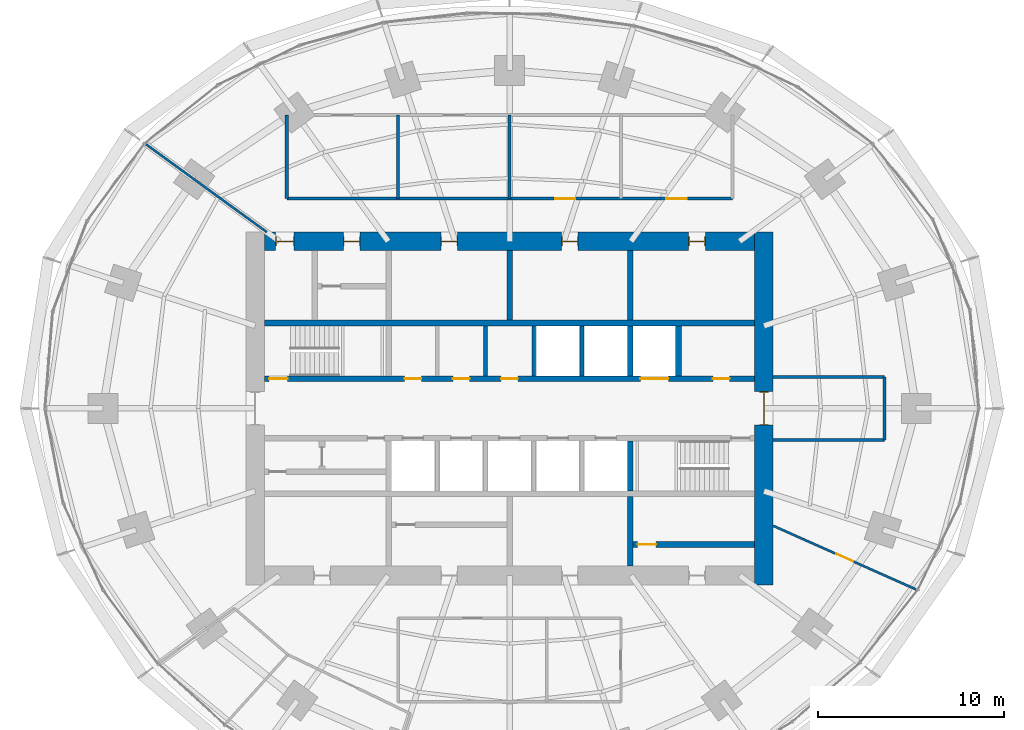
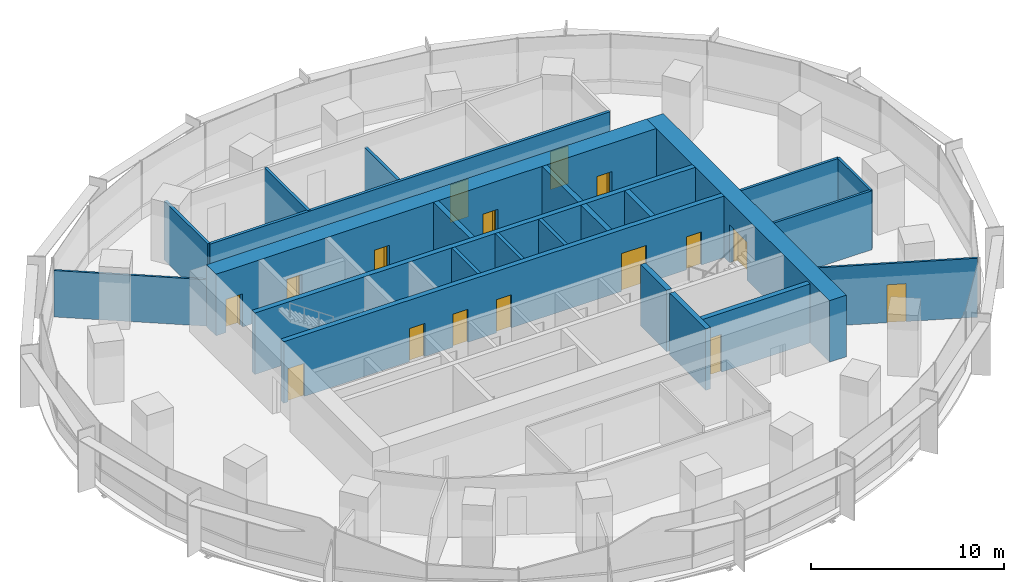
# One storey, part 11 of 14: 23 walls, 16 doors, 16 openings.
"""IFC4 building model written with IfcOpenShell, lengths in metres."""

from ifc_helpers import new_model, si_unit, direction, frame, frame_2d, origin, place, context, subcontext, project, spatial, rectangle, extrude, material, layer, layer_set, type_object, element, fill, save


model = new_model("IFC4")

# Units and contexts
model_context = context("Model", 3, precision=1e-05, world=origin(), true_north=direction((0.0, 1.0)))
body_context = subcontext(model_context, "Body", "Model", "MODEL_VIEW")
ifc_project = project(units=[si_unit("LENGTHUNIT", "METRE"), si_unit("AREAUNIT", "SQUARE_METRE"), si_unit("VOLUMEUNIT", "CUBIC_METRE"), si_unit("PLANEANGLEUNIT", "RADIAN"), si_unit("MASSUNIT", "GRAM", prefix="KILO")], contexts=[model_context])

# Site, building, storey
site_placement = place(None, origin())
site = spatial("IfcSite", under=ifc_project, at=site_placement, CompositionType="ELEMENT")
building_placement = place(site_placement, origin())
building = spatial("IfcBuilding", under=site, at=building_placement, Name="Marramba Exchange Tower", CompositionType="ELEMENT")
storey_placement = place(building_placement, frame((0.0, 0.0, 154.800048828125)))
storey = spatial("IfcBuildingStorey", under=building, at=storey_placement, Name="L37", CompositionType="ELEMENT", Elevation=154.800048828125)

# Wall
ifc_material_1 = material(Name="Plasterboard on staggered double steel studs, acoustic insulation", Category="steel")
ifc_layer_1 = layer(ifc_material_1, 0.169921875)
ifc_layer_set_1 = layer_set([ifc_layer_1], Name="Acoustic partition 170")
wall_type_1 = type_object("IfcWallType", Name="Acoustic partition 170", PredefinedType="PARTITIONING", material=ifc_layer_set_1)
wall_1_placement = place(storey_placement, frame((0.0, 15.800048828125, 0.0), z_axis=(0.0, 0.0, 1.0), x_axis=(0.0, -1.0, 0.0)))
element("IfcWall", 1, at=wall_1_placement, inside=storey, type_object=wall_type_1, Name="Acoustic partition L37 18", PredefinedType="PARTITIONING", context=body_context, shape_type="SweptSolid", body=[
    extrude(rectangle(XDim=4.5, YDim=0.169921875, at=frame_2d((2.25, 0.0))), origin(), (0.0, 0.0, 1.0), 2.93994140625),
])

# Wall, openings, doors
wall_2_placement = place(storey_placement, frame((12.0, 11.300048828125, 0.0), z_axis=(0.0, 0.0, 1.0), x_axis=(-1.0, 0.0, 0.0)))
wall_2 = element("IfcWall", 2, at=wall_2_placement, inside=storey, type_object=wall_type_1, Name="Acoustic partition L37 19", PredefinedType="PARTITIONING", context=body_context, shape_type="SweptSolid", body=[
    extrude(rectangle(XDim=24.0, YDim=0.169921875, at=frame_2d((12.0, 0.0))), origin(), (0.0, 0.0, 1.0), 3.739990234375),
])
opening_1_placement = place(wall_2_placement, frame((8.449951171875, 0.0, 0.0)))
opening_1 = element("IfcOpeningElement", 3, at=opening_1_placement, cuts=wall_2, Name="Opening D15", PredefinedType="OPENING", context=body_context, shape_type="SweptSolid", body=[
    extrude(rectangle(XDim=1.10009765625, YDim=2.39990234375, at=frame_2d((0.550048828125, 1.199951171875))), frame((0.0, 0.094970703125, 0.0), z_axis=(0.0, -1.0, 0.0), x_axis=(1.0, 0.0, 0.0)), (0.0, 0.0, 1.0), 0.18994140625),
])
opening_2_placement = place(wall_2_placement, frame((2.449951171875, 0.0, 0.0)))
opening_2 = element("IfcOpeningElement", 4, at=opening_2_placement, cuts=wall_2, Name="Opening D15", PredefinedType="OPENING", context=body_context, shape_type="SweptSolid", body=[
    extrude(rectangle(XDim=1.10009765625, YDim=2.39990234375, at=frame_2d((0.550048828125, 1.199951171875))), frame((0.0, 0.094970703125, 0.0), z_axis=(0.0, -1.0, 0.0), x_axis=(1.0, 0.0, 0.0)), (0.0, 0.0, 1.0), 0.18994140625),
])
ifc_material_2 = material(Name="Timber door", Category="wood")
door_type_1 = type_object("IfcDoorType", Name="Glazed meeting room door 1100x2400", OperationType="SINGLE_SWING_LEFT", PredefinedType="DOOR", material=ifc_material_2)
door_1_placement = place(opening_1_placement, frame((1.10009765625, 0.0, 0.0), z_axis=(0.0, 0.0, 1.0), x_axis=(-1.0, 0.0, 0.0)))
door_1 = element("IfcDoor", 5, at=door_1_placement, inside=storey, type_object=door_type_1, Name="D15 Meeting Room 3 L37", OperationType="SINGLE_SWING_RIGHT", OverallHeight=2.39990234375, OverallWidth=1.10009765625, PredefinedType="DOOR", context=body_context, shape_type="SweptSolid", body=[
    extrude(rectangle(XDim=1.10009765625, YDim=2.39990234375, at=frame_2d((0.550048828125, 1.199951171875))), frame((0.0, 0.025146484375, 0.0), z_axis=(0.0, -1.0, 0.0), x_axis=(1.0, 0.0, 0.0)), (0.0, 0.0, 1.0), 0.050048828125),
])
fill(opening_1, door_1)
door_2_placement = place(opening_2_placement, frame((1.10009765625, 0.0, 0.0), z_axis=(0.0, 0.0, 1.0), x_axis=(-1.0, 0.0, 0.0)))
door_2 = element("IfcDoor", 6, at=door_2_placement, inside=storey, type_object=door_type_1, Name="D15 Meeting Room 4 L37", OperationType="SINGLE_SWING_RIGHT", OverallHeight=2.39990234375, OverallWidth=1.10009765625, PredefinedType="DOOR", context=body_context, shape_type="SweptSolid", body=[
    extrude(rectangle(XDim=1.10009765625, YDim=2.39990234375, at=frame_2d((0.550048828125, 1.199951171875))), frame((0.0, 0.025146484375, 0.0), z_axis=(0.0, -1.0, 0.0), x_axis=(1.0, 0.0, 0.0)), (0.0, 0.0, 1.0), 0.050048828125),
])
fill(opening_2, door_2)

# Walls
for number, where, z_axis, x_axis, name in (
    (7, (-6.0, 15.800048828125, 0.0), (0.0, 0.0, 1.0), (0.0, -1.0, 0.0), "Acoustic partition L37 20"),
    (8, (-12.0, 11.300048828125, 0.0), (0.0, 0.0, 1.0), (0.0, 1.0, 0.0), "Acoustic partition L37 21"),
):
    element("IfcWall", number, at=place(storey_placement, frame(where, z_axis=z_axis, x_axis=x_axis)), inside=storey, type_object=wall_type_1, Name=name, PredefinedType="PARTITIONING", context=body_context, shape_type="SweptSolid", body=[
        extrude(rectangle(XDim=4.5, YDim=0.169921875, at=frame_2d((2.25, 0.0))), origin(), (0.0, 0.0, 1.0), 3.739990234375),
    ])
ifc_material_3 = material(Name="Concrete N50", Category="concrete")
ifc_layer_2 = layer(ifc_material_3, 0.199951171875)
ifc_layer_set_2 = layer_set([ifc_layer_2], Name="Core shaft wall 200")
wall_type_2 = type_object("IfcWallType", Name="Core shaft wall 200", PredefinedType="SHEAR", material=ifc_layer_set_2)
for number, where, z_axis, x_axis, name in (
    (9, (-1.300048828125, 1.75, 0.0), (0.0, 0.0, 1.0), (0.0, 1.0, 0.0), "Core wall SHN2 L37"),
    (10, (1.300048828125, 1.75, 0.0), (0.0, 0.0, 1.0), (0.0, 1.0, 0.0), "Core wall SHN3 L37"),
    (11, (3.89990234375, 1.75, 0.0), (0.0, 0.0, 1.0), (0.0, 1.0, 0.0), "Core wall SHN4 L37"),
):
    element("IfcWall", number, at=place(storey_placement, frame(where, z_axis=z_axis, x_axis=x_axis)), inside=storey, type_object=wall_type_2, Name=name, PredefinedType="SHEAR", context=body_context, shape_type="SweptSolid", body=[
        extrude(rectangle(XDim=2.699951171875, YDim=0.199951171875, at=frame_2d((1.35009765625, 0.0))), origin(), (0.0, 0.0, 1.0), 3.89990234375),
    ])

# Wall, openings, doors
ifc_layer_3 = layer(ifc_material_3, 1.0)
ifc_layer_set_3 = layer_set([ifc_layer_3], Name="Core wall 1000")
wall_type_3 = type_object("IfcWallType", Name="Core wall 1000", PredefinedType="SHEAR", material=ifc_layer_set_3)
wall_3_placement = place(storey_placement, frame((13.199951171875, 9.0, 0.0), z_axis=(0.0, 0.0, 1.0), x_axis=(-1.0, 0.0, 0.0)))
wall_3 = element("IfcWall", 12, at=wall_3_placement, inside=storey, type_object=wall_type_3, Name="Core wall N L37", PredefinedType="SHEAR", context=body_context, shape_type="SweptSolid", body=[
    extrude(rectangle(XDim=26.39990234375, YDim=1.0, at=frame_2d((13.199951171875, 0.0))), origin(), (0.0, 0.0, 1.0), 3.89990234375),
])
opening_3_placement = place(wall_3_placement, frame((2.64990234375, 0.0, 0.0)))
opening_3 = element("IfcOpeningElement", 13, at=opening_3_placement, cuts=wall_3, Name="Opening D5", PredefinedType="OPENING", context=body_context, shape_type="SweptSolid", body=[
    extrude(rectangle(XDim=0.89990234375, YDim=2.10009765625, at=frame_2d((0.449951171875, 1.050048828125))), frame((0.0, 0.510009765625, 0.0), z_axis=(0.0, -1.0, 0.0), x_axis=(1.0, 0.0, 0.0)), (0.0, 0.0, 1.0), 1.02001953125),
])
opening_4_placement = place(wall_3_placement, frame((9.5, 0.0, 0.0)))
opening_4 = element("IfcOpeningElement", 14, at=opening_4_placement, cuts=wall_3, Name="Opening D3", PredefinedType="OPENING", context=body_context, shape_type="SweptSolid", body=[
    extrude(rectangle(XDim=0.89990234375, YDim=2.10009765625, at=frame_2d((0.449951171875, 1.050048828125))), frame((0.0, 0.510009765625, 0.0), z_axis=(0.0, -1.0, 0.0), x_axis=(1.0, 0.0, 0.0)), (0.0, 0.0, 1.0), 1.02001953125),
])
opening_5_placement = place(wall_3_placement, frame((16.0, 0.0, 0.0)))
opening_5 = element("IfcOpeningElement", 15, at=opening_5_placement, cuts=wall_3, Name="Opening D3", PredefinedType="OPENING", context=body_context, shape_type="SweptSolid", body=[
    extrude(rectangle(XDim=0.89990234375, YDim=2.10009765625, at=frame_2d((0.449951171875, 1.050048828125))), frame((0.0, 0.510009765625, 0.0), z_axis=(0.0, -1.0, 0.0), x_axis=(1.0, 0.0, 0.0)), (0.0, 0.0, 1.0), 1.02001953125),
])
opening_6_placement = place(wall_3_placement, frame((21.25, 0.0, 0.0)))
opening_6 = element("IfcOpeningElement", 16, at=opening_6_placement, cuts=wall_3, Name="Opening D5", PredefinedType="OPENING", context=body_context, shape_type="SweptSolid", body=[
    extrude(rectangle(XDim=0.89990234375, YDim=2.10009765625, at=frame_2d((0.449951171875, 1.050048828125))), frame((0.0, 0.510009765625, 0.0), z_axis=(0.0, -1.0, 0.0), x_axis=(1.0, 0.0, 0.0)), (0.0, 0.0, 1.0), 1.02001953125),
])
opening_7_placement = place(wall_3_placement, frame((24.800048828125, 0.0, 0.0)))
opening_7 = element("IfcOpeningElement", 17, at=opening_7_placement, cuts=wall_3, Name="Opening D4", PredefinedType="OPENING", context=body_context, shape_type="SweptSolid", body=[
    extrude(rectangle(XDim=1.0, YDim=2.10009765625, at=frame_2d((0.5, 1.050048828125))), frame((0.0, 0.510009765625, 0.0), z_axis=(0.0, -1.0, 0.0), x_axis=(1.0, 0.0, 0.0)), (0.0, 0.0, 1.0), 1.02001953125),
])
ifc_material_4 = material(Name="Steel-framed door", Category="steel")
door_type_2 = type_object("IfcDoorType", Name="Accessible toilet door 1000x2100", OperationType="SINGLE_SWING_LEFT", PredefinedType="DOOR", material=ifc_material_4)
door_3_placement = place(opening_7_placement, origin())
door_3 = element("IfcDoor", 18, at=door_3_placement, inside=storey, type_object=door_type_2, Name="D4 awc L37", OperationType="SINGLE_SWING_RIGHT", OverallHeight=2.10009765625, OverallWidth=1.0, PredefinedType="DOOR", context=body_context, shape_type="SweptSolid", body=[
    extrude(rectangle(XDim=0.919921875, YDim=2.06005859375, at=frame_2d((0.5, 1.030029296875))), frame((0.0, 0.02490234375, 0.0), z_axis=(0.0, -1.0, 0.0), x_axis=(1.0, 0.0, 0.0)), (0.0, 0.0, 1.0), 0.050048828125),
    extrude(rectangle(XDim=0.04, YDim=2.10009765625, at=frame_2d((0.02001953125, 1.050048828125))), frame((0.0, 0.25, 0.0), z_axis=(0.0, -1.0, 0.0), x_axis=(1.0, 0.0, 0.0)), (0.0, 0.0, 1.0), 0.5),
    extrude(rectangle(XDim=0.04, YDim=2.10009765625, at=frame_2d((0.97998046875, 1.050048828125))), frame((0.0, 0.25, 0.0), z_axis=(0.0, -1.0, 0.0), x_axis=(1.0, 0.0, 0.0)), (0.0, 0.0, 1.0), 0.5),
    extrude(rectangle(XDim=0.919921875, YDim=0.04, at=frame_2d((0.5, 2.080078125))), frame((0.0, 0.25, 0.0), z_axis=(0.0, -1.0, 0.0), x_axis=(1.0, 0.0, 0.0)), (0.0, 0.0, 1.0), 0.5),
])
fill(opening_7, door_3)
door_type_3 = type_object("IfcDoorType", Name="Service door 900x2100", OperationType="SINGLE_SWING_LEFT", PredefinedType="DOOR", material=ifc_material_4)
door_4_placement = place(opening_3_placement, origin())
door_4 = element("IfcDoor", 19, at=door_4_placement, inside=storey, type_object=door_type_3, Name="D5 comms L37", OperationType="SINGLE_SWING_LEFT", OverallHeight=2.10009765625, OverallWidth=0.89990234375, PredefinedType="DOOR", context=body_context, shape_type="SweptSolid", body=[
    extrude(rectangle(XDim=0.81982421875, YDim=2.06005859375, at=frame_2d((0.449951171875, 1.030029296875))), frame((0.0, 0.02490234375, 0.0), z_axis=(0.0, -1.0, 0.0), x_axis=(1.0, 0.0, 0.0)), (0.0, 0.0, 1.0), 0.050048828125),
    extrude(rectangle(XDim=0.04, YDim=2.10009765625, at=frame_2d((0.02001953125, 1.050048828125))), frame((0.0, 0.25, 0.0), z_axis=(0.0, -1.0, 0.0), x_axis=(1.0, 0.0, 0.0)), (0.0, 0.0, 1.0), 0.5),
    extrude(rectangle(XDim=0.04, YDim=2.10009765625, at=frame_2d((0.8798828125, 1.050048828125))), frame((0.0, 0.25, 0.0), z_axis=(0.0, -1.0, 0.0), x_axis=(1.0, 0.0, 0.0)), (0.0, 0.0, 1.0), 0.5),
    extrude(rectangle(XDim=0.81982421875, YDim=0.04, at=frame_2d((0.449951171875, 2.080078125))), frame((0.0, 0.25, 0.0), z_axis=(0.0, -1.0, 0.0), x_axis=(1.0, 0.0, 0.0)), (0.0, 0.0, 1.0), 0.5),
])
fill(opening_3, door_4)
door_5_placement = place(opening_6_placement, origin())
door_5 = element("IfcDoor", 20, at=door_5_placement, inside=storey, type_object=door_type_3, Name="D5 cleaner L37", OperationType="SINGLE_SWING_RIGHT", OverallHeight=2.10009765625, OverallWidth=0.89990234375, PredefinedType="DOOR", context=body_context, shape_type="SweptSolid", body=[
    extrude(rectangle(XDim=0.81982421875, YDim=2.06005859375, at=frame_2d((0.449951171875, 1.030029296875))), frame((0.0, 0.02490234375, 0.0), z_axis=(0.0, -1.0, 0.0), x_axis=(1.0, 0.0, 0.0)), (0.0, 0.0, 1.0), 0.050048828125),
    extrude(rectangle(XDim=0.04, YDim=2.10009765625, at=frame_2d((0.02001953125, 1.050048828125))), frame((0.0, 0.25, 0.0), z_axis=(0.0, -1.0, 0.0), x_axis=(1.0, 0.0, 0.0)), (0.0, 0.0, 1.0), 0.5),
    extrude(rectangle(XDim=0.04, YDim=2.10009765625, at=frame_2d((0.8798828125, 1.050048828125))), frame((0.0, 0.25, 0.0), z_axis=(0.0, -1.0, 0.0), x_axis=(1.0, 0.0, 0.0)), (0.0, 0.0, 1.0), 0.5),
    extrude(rectangle(XDim=0.81982421875, YDim=0.04, at=frame_2d((0.449951171875, 2.080078125))), frame((0.0, 0.25, 0.0), z_axis=(0.0, -1.0, 0.0), x_axis=(1.0, 0.0, 0.0)), (0.0, 0.0, 1.0), 0.5),
])
fill(opening_6, door_5)
door_type_4 = type_object("IfcDoorType", Name="Toilet door 900x2100", OperationType="SINGLE_SWING_LEFT", PredefinedType="DOOR", material=ifc_material_4)
door_6_placement = place(opening_4_placement, origin())
door_6 = element("IfcDoor", 21, at=door_6_placement, inside=storey, type_object=door_type_4, Name="D3 wc-f L37", OperationType="SINGLE_SWING_RIGHT", OverallHeight=2.10009765625, OverallWidth=0.89990234375, PredefinedType="DOOR", context=body_context, shape_type="SweptSolid", body=[
    extrude(rectangle(XDim=0.81982421875, YDim=2.06005859375, at=frame_2d((0.449951171875, 1.030029296875))), frame((0.0, 0.02490234375, 0.0), z_axis=(0.0, -1.0, 0.0), x_axis=(1.0, 0.0, 0.0)), (0.0, 0.0, 1.0), 0.050048828125),
    extrude(rectangle(XDim=0.04, YDim=2.10009765625, at=frame_2d((0.02001953125, 1.050048828125))), frame((0.0, 0.25, 0.0), z_axis=(0.0, -1.0, 0.0), x_axis=(1.0, 0.0, 0.0)), (0.0, 0.0, 1.0), 0.5),
    extrude(rectangle(XDim=0.04, YDim=2.10009765625, at=frame_2d((0.8798828125, 1.050048828125))), frame((0.0, 0.25, 0.0), z_axis=(0.0, -1.0, 0.0), x_axis=(1.0, 0.0, 0.0)), (0.0, 0.0, 1.0), 0.5),
    extrude(rectangle(XDim=0.81982421875, YDim=0.04, at=frame_2d((0.449951171875, 2.080078125))), frame((0.0, 0.25, 0.0), z_axis=(0.0, -1.0, 0.0), x_axis=(1.0, 0.0, 0.0)), (0.0, 0.0, 1.0), 0.5),
])
fill(opening_4, door_6)
door_7_placement = place(opening_5_placement, origin())
door_7 = element("IfcDoor", 22, at=door_7_placement, inside=storey, type_object=door_type_4, Name="D3 wc-m L37", OperationType="SINGLE_SWING_RIGHT", OverallHeight=2.10009765625, OverallWidth=0.89990234375, PredefinedType="DOOR", context=body_context, shape_type="SweptSolid", body=[
    extrude(rectangle(XDim=0.81982421875, YDim=2.06005859375, at=frame_2d((0.449951171875, 1.030029296875))), frame((0.0, 0.02490234375, 0.0), z_axis=(0.0, -1.0, 0.0), x_axis=(1.0, 0.0, 0.0)), (0.0, 0.0, 1.0), 0.050048828125),
    extrude(rectangle(XDim=0.04, YDim=2.10009765625, at=frame_2d((0.02001953125, 1.050048828125))), frame((0.0, 0.25, 0.0), z_axis=(0.0, -1.0, 0.0), x_axis=(1.0, 0.0, 0.0)), (0.0, 0.0, 1.0), 0.5),
    extrude(rectangle(XDim=0.04, YDim=2.10009765625, at=frame_2d((0.8798828125, 1.050048828125))), frame((0.0, 0.25, 0.0), z_axis=(0.0, -1.0, 0.0), x_axis=(1.0, 0.0, 0.0)), (0.0, 0.0, 1.0), 0.5),
    extrude(rectangle(XDim=0.81982421875, YDim=0.04, at=frame_2d((0.449951171875, 2.080078125))), frame((0.0, 0.25, 0.0), z_axis=(0.0, -1.0, 0.0), x_axis=(1.0, 0.0, 0.0)), (0.0, 0.0, 1.0), 0.5),
])
fill(opening_5, door_7)

# Wall, opening, door
wall_4_placement = place(storey_placement, frame((13.699951171875, -9.5, 0.0), z_axis=(0.0, 0.0, 1.0), x_axis=(0.0, 1.0, 0.0)))
wall_4 = element("IfcWall", 23, at=wall_4_placement, inside=storey, type_object=wall_type_3, Name="Core wall E L37", PredefinedType="SHEAR", context=body_context, shape_type="SweptSolid", body=[
    extrude(rectangle(XDim=19.0, YDim=1.0, at=frame_2d((9.5, 0.0))), origin(), (0.0, 0.0, 1.0), 3.89990234375),
])
opening_8_placement = place(wall_4_placement, frame((8.60009765625, 0.0, 0.0)))
opening_8 = element("IfcOpeningElement", 24, at=opening_8_placement, cuts=wall_4, Name="Opening D1", PredefinedType="OPENING", context=body_context, shape_type="SweptSolid", body=[
    extrude(rectangle(XDim=1.800048828125, YDim=2.39990234375, at=frame_2d((0.89990234375, 1.199951171875))), frame((0.0, 0.510009765625, 0.0), z_axis=(0.0, -1.0, 0.0), x_axis=(1.0, 0.0, 0.0)), (0.0, 0.0, 1.0), 1.02001953125),
])
door_type_5 = type_object("IfcDoorType", Name="Lobby exit door 1800x2400", OperationType="DOUBLE_DOOR_SINGLE_SWING", PredefinedType="DOOR", material=ifc_material_4)
door_8_placement = place(opening_8_placement, frame((1.800048828125, 0.0, 0.0), z_axis=(0.0, 0.0, 1.0), x_axis=(-1.0, 0.0, 0.0)))
door_8 = element("IfcDoor", 25, at=door_8_placement, inside=storey, type_object=door_type_5, Name="D1 lobby exit east L37", OperationType="DOUBLE_DOOR_SINGLE_SWING", OverallHeight=2.39990234375, OverallWidth=1.800048828125, PredefinedType="DOOR", context=body_context, shape_type="SweptSolid", body=[
    extrude(rectangle(XDim=1.719970703125, YDim=2.35986328125, at=frame_2d((0.900146484375, 1.179931640625))), frame((0.0, 0.025146484375, 0.0), z_axis=(0.0, -1.0, 0.0), x_axis=(1.0, 0.0, 0.0)), (0.0, 0.0, 1.0), 0.050048828125),
    extrude(rectangle(XDim=0.04, YDim=2.39990234375, at=frame_2d((1.780029296875, 1.199951171875))), frame((0.0, 0.25, 0.0), z_axis=(0.0, -1.0, 0.0), x_axis=(1.0, 0.0, 0.0)), (0.0, 0.0, 1.0), 0.5),
    extrude(rectangle(XDim=0.04, YDim=2.39990234375, at=frame_2d((0.02001953125, 1.199951171875))), frame((0.0, 0.25, 0.0), z_axis=(0.0, -1.0, 0.0), x_axis=(1.0, 0.0, 0.0)), (0.0, 0.0, 1.0), 0.5),
    extrude(rectangle(XDim=1.719970703125, YDim=0.04, at=frame_2d((0.900146484375, 2.3798828125))), frame((0.0, 0.25, 0.0), z_axis=(0.0, -1.0, 0.0), x_axis=(1.0, 0.0, 0.0)), (0.0, 0.0, 1.0), 0.5),
])
fill(opening_8, door_8)

# Wall, openings, doors
ifc_layer_4 = layer(ifc_material_3, 0.300048828125)
ifc_layer_set_4 = layer_set([ifc_layer_4], Name="Core wall 300")
wall_type_4 = type_object("IfcWallType", Name="Core wall 300", PredefinedType="SHEAR", material=ifc_layer_set_4)
wall_5_placement = place(storey_placement, frame((-13.199951171875, 1.60009765625, 0.0), z_axis=(0.0, 0.0, 1.0), x_axis=(1.0, 0.0, 0.0)))
wall_5 = element("IfcWall", 26, at=wall_5_placement, inside=storey, type_object=wall_type_4, Name="Core wall LN L37", PredefinedType="SHEAR", context=body_context, shape_type="SweptSolid", body=[
    extrude(rectangle(XDim=26.39990234375, YDim=0.300048828125, at=frame_2d((13.199951171875, 0.0))), origin(), (0.0, 0.0, 1.0), 3.89990234375),
])
opening_9_placement = place(wall_5_placement, frame((0.25, 0.0, 0.0)))
opening_9 = element("IfcOpeningElement", 27, at=opening_9_placement, cuts=wall_5, Name="Opening D2", PredefinedType="OPENING", context=body_context, shape_type="SweptSolid", body=[
    extrude(rectangle(XDim=1.0, YDim=2.10009765625, at=frame_2d((0.5, 1.050048828125))), frame((0.0, 0.159912109375, 0.0), z_axis=(0.0, -1.0, 0.0), x_axis=(1.0, 0.0, 0.0)), (0.0, 0.0, 1.0), 0.320068359375),
])
opening_10_placement = place(wall_5_placement, frame((20.25, 0.0, 0.0)))
opening_10 = element("IfcOpeningElement", 28, at=opening_10_placement, cuts=wall_5, Name="Opening LD3", PredefinedType="OPENING", context=body_context, shape_type="SweptSolid", body=[
    extrude(rectangle(XDim=1.5, YDim=2.39990234375, at=frame_2d((0.75, 1.199951171875))), frame((0.0, 0.159912109375, 0.0), z_axis=(0.0, -1.0, 0.0), x_axis=(1.0, 0.0, 0.0)), (0.0, 0.0, 1.0), 0.320068359375),
])
opening_11_placement = place(wall_5_placement, frame((7.550048828125, 0.0, 0.0)))
opening_11 = element("IfcOpeningElement", 29, at=opening_11_placement, cuts=wall_5, Name="Opening D5", PredefinedType="OPENING", context=body_context, shape_type="SweptSolid", body=[
    extrude(rectangle(XDim=0.89990234375, YDim=2.10009765625, at=frame_2d((0.449951171875, 1.050048828125))), frame((0.0, 0.159912109375, 0.0), z_axis=(0.0, -1.0, 0.0), x_axis=(1.0, 0.0, 0.0)), (0.0, 0.0, 1.0), 0.320068359375),
])
opening_12_placement = place(wall_5_placement, frame((10.14990234375, 0.0, 0.0)))
opening_12 = element("IfcOpeningElement", 30, at=opening_12_placement, cuts=wall_5, Name="Opening D5", PredefinedType="OPENING", context=body_context, shape_type="SweptSolid", body=[
    extrude(rectangle(XDim=0.89990234375, YDim=2.10009765625, at=frame_2d((0.449951171875, 1.050048828125))), frame((0.0, 0.159912109375, 0.0), z_axis=(0.0, -1.0, 0.0), x_axis=(1.0, 0.0, 0.0)), (0.0, 0.0, 1.0), 0.320068359375),
])
opening_13_placement = place(wall_5_placement, frame((12.75, 0.0, 0.0)))
opening_13 = element("IfcOpeningElement", 31, at=opening_13_placement, cuts=wall_5, Name="Opening D5", PredefinedType="OPENING", context=body_context, shape_type="SweptSolid", body=[
    extrude(rectangle(XDim=0.89990234375, YDim=2.10009765625, at=frame_2d((0.449951171875, 1.050048828125))), frame((0.0, 0.159912109375, 0.0), z_axis=(0.0, -1.0, 0.0), x_axis=(1.0, 0.0, 0.0)), (0.0, 0.0, 1.0), 0.320068359375),
])
opening_14_placement = place(wall_5_placement, frame((24.14990234375, 0.0, 0.0)))
opening_14 = element("IfcOpeningElement", 32, at=opening_14_placement, cuts=wall_5, Name="Opening D5", PredefinedType="OPENING", context=body_context, shape_type="SweptSolid", body=[
    extrude(rectangle(XDim=0.89990234375, YDim=2.10009765625, at=frame_2d((0.449951171875, 1.050048828125))), frame((0.0, 0.159912109375, 0.0), z_axis=(0.0, -1.0, 0.0), x_axis=(1.0, 0.0, 0.0)), (0.0, 0.0, 1.0), 0.320068359375),
])
door_type_6 = type_object("IfcDoorType", Name="Goods lift landing door 1500x2400", OperationType="SLIDING_TO_LEFT", PredefinedType="DOOR", material=ifc_material_4)
door_9_placement = place(opening_10_placement, origin())
door_9 = element("IfcDoor", 33, at=door_9_placement, inside=storey, type_object=door_type_6, Name="GL1 landing door L37", OperationType="SLIDING_TO_LEFT", OverallHeight=2.39990234375, OverallWidth=1.5, PredefinedType="DOOR", context=body_context, shape_type="SweptSolid", body=[
    extrude(rectangle(XDim=1.5, YDim=2.39990234375, at=frame_2d((0.75, 1.199951171875))), frame((0.0, 0.02490234375, 0.0), z_axis=(0.0, -1.0, 0.0), x_axis=(1.0, 0.0, 0.0)), (0.0, 0.0, 1.0), 0.050048828125),
])
fill(opening_10, door_9)
door_10_placement = place(opening_11_placement, origin())
door_10 = element("IfcDoor", 34, at=door_10_placement, inside=storey, type_object=door_type_3, Name="D5 vending room L37", OperationType="SINGLE_SWING_RIGHT", OverallHeight=2.10009765625, OverallWidth=0.89990234375, PredefinedType="DOOR", context=body_context, shape_type="SweptSolid", body=[
    extrude(rectangle(XDim=0.89990234375, YDim=2.10009765625, at=frame_2d((0.449951171875, 1.050048828125))), frame((0.0, 0.02490234375, 0.0), z_axis=(0.0, -1.0, 0.0), x_axis=(1.0, 0.0, 0.0)), (0.0, 0.0, 1.0), 0.050048828125),
])
fill(opening_11, door_10)
door_11_placement = place(opening_12_placement, origin())
door_11 = element("IfcDoor", 35, at=door_11_placement, inside=storey, type_object=door_type_3, Name="D5 stationery store L37", OperationType="SINGLE_SWING_RIGHT", OverallHeight=2.10009765625, OverallWidth=0.89990234375, PredefinedType="DOOR", context=body_context, shape_type="SweptSolid", body=[
    extrude(rectangle(XDim=0.89990234375, YDim=2.10009765625, at=frame_2d((0.449951171875, 1.050048828125))), frame((0.0, 0.02490234375, 0.0), z_axis=(0.0, -1.0, 0.0), x_axis=(1.0, 0.0, 0.0)), (0.0, 0.0, 1.0), 0.050048828125),
])
fill(opening_12, door_11)
door_12_placement = place(opening_13_placement, origin())
door_12 = element("IfcDoor", 36, at=door_12_placement, inside=storey, type_object=door_type_3, Name="D5 switch room L37", OperationType="SINGLE_SWING_RIGHT", OverallHeight=2.10009765625, OverallWidth=0.89990234375, PredefinedType="DOOR", context=body_context, shape_type="SweptSolid", body=[
    extrude(rectangle(XDim=0.89990234375, YDim=2.10009765625, at=frame_2d((0.449951171875, 1.050048828125))), frame((0.0, 0.02490234375, 0.0), z_axis=(0.0, -1.0, 0.0), x_axis=(1.0, 0.0, 0.0)), (0.0, 0.0, 1.0), 0.050048828125),
])
fill(opening_13, door_12)
door_13_placement = place(opening_14_placement, origin())
door_13 = element("IfcDoor", 37, at=door_13_placement, inside=storey, type_object=door_type_3, Name="D5 riser L37", OperationType="SINGLE_SWING_RIGHT", OverallHeight=2.10009765625, OverallWidth=0.89990234375, PredefinedType="DOOR", context=body_context, shape_type="SweptSolid", body=[
    extrude(rectangle(XDim=0.89990234375, YDim=2.10009765625, at=frame_2d((0.449951171875, 1.050048828125))), frame((0.0, 0.02490234375, 0.0), z_axis=(0.0, -1.0, 0.0), x_axis=(1.0, 0.0, 0.0)), (0.0, 0.0, 1.0), 0.050048828125),
])
fill(opening_14, door_13)
door_type_7 = type_object("IfcDoorType", Name="Stair door 1000x2100", OperationType="SINGLE_SWING_LEFT", PredefinedType="DOOR", material=ifc_material_4)
door_14_placement = place(opening_9_placement, origin())
door_14 = element("IfcDoor", 38, at=door_14_placement, inside=storey, type_object=door_type_7, Name="D2 stair ST1 L37", OperationType="SINGLE_SWING_LEFT", OverallHeight=2.10009765625, OverallWidth=1.0, PredefinedType="DOOR", context=body_context, shape_type="SweptSolid", body=[
    extrude(rectangle(XDim=1.0, YDim=2.10009765625, at=frame_2d((0.5, 1.050048828125))), frame((0.0, 0.02490234375, 0.0), z_axis=(0.0, -1.0, 0.0), x_axis=(1.0, 0.0, 0.0)), (0.0, 0.0, 1.0), 0.050048828125),
])
fill(opening_9, door_14)

# Walls
wall_6_placement = place(storey_placement, frame((-13.199951171875, 4.60009765625, 0.0), z_axis=(0.0, 0.0, 1.0), x_axis=(1.0, 0.0, 0.0)))
element("IfcWall", 39, at=wall_6_placement, inside=storey, type_object=wall_type_4, Name="Core wall BN L37", PredefinedType="SHEAR", context=body_context, shape_type="SweptSolid", body=[
    extrude(rectangle(XDim=26.39990234375, YDim=0.300048828125, at=frame_2d((13.199951171875, 0.0))), origin(), (0.0, 0.0, 1.0), 3.89990234375),
])
wall_7_placement = place(storey_placement, frame((6.5, 1.75, 0.0), z_axis=(0.0, 0.0, 1.0), x_axis=(0.0, 1.0, 0.0)))
element("IfcWall", 40, at=wall_7_placement, inside=storey, type_object=wall_type_4, Name="Core wall X1Na L37", PredefinedType="SHEAR", context=body_context, shape_type="SweptSolid", body=[
    extrude(rectangle(XDim=2.699951171875, YDim=0.300048828125, at=frame_2d((1.35009765625, 0.0))), origin(), (0.0, 0.0, 1.0), 3.89990234375),
])
for number, where, z_axis, x_axis, name in (
    (41, (6.5, 4.75, 0.0), (0.0, 0.0, 1.0), (0.0, 1.0, 0.0), "Core wall X1Nb L37"),
    (42, (0.0, 4.75, 0.0), (0.0, 0.0, 1.0), (0.0, 1.0, 0.0), "Core wall MN L37"),
):
    element("IfcWall", number, at=place(storey_placement, frame(where, z_axis=z_axis, x_axis=x_axis)), inside=storey, type_object=wall_type_4, Name=name, PredefinedType="SHEAR", context=body_context, shape_type="SweptSolid", body=[
        extrude(rectangle(XDim=3.75, YDim=0.300048828125, at=frame_2d((1.875, 0.0))), origin(), (0.0, 0.0, 1.0), 3.89990234375),
    ])
wall_8_placement = place(storey_placement, frame((6.5, -1.75, 0.0), z_axis=(0.0, 0.0, 1.0), x_axis=(0.0, -1.0, 0.0)))
element("IfcWall", 43, at=wall_8_placement, inside=storey, type_object=wall_type_4, Name="Core wall X1Sa L37", PredefinedType="SHEAR", context=body_context, shape_type="SweptSolid", body=[
    extrude(rectangle(XDim=2.699951171875, YDim=0.300048828125, at=frame_2d((1.35009765625, 0.0))), origin(), (0.0, 0.0, 1.0), 3.89990234375),
])
wall_9_placement = place(storey_placement, frame((6.5, -4.75, 0.0), z_axis=(0.0, 0.0, 1.0), x_axis=(0.0, -1.0, 0.0)))
element("IfcWall", 44, at=wall_9_placement, inside=storey, type_object=wall_type_4, Name="Core wall X1Sb L37", PredefinedType="SHEAR", context=body_context, shape_type="SweptSolid", body=[
    extrude(rectangle(XDim=3.75, YDim=0.300048828125, at=frame_2d((1.875, 0.0))), origin(), (0.0, 0.0, 1.0), 3.89990234375),
])
wall_10_placement = place(storey_placement, frame((9.10009765625, 1.75, 0.0), z_axis=(0.0, 0.0, 1.0), x_axis=(0.0, 1.0, 0.0)))
element("IfcWall", 45, at=wall_10_placement, inside=storey, type_object=wall_type_4, Name="Core wall ED L37", PredefinedType="SHEAR", context=body_context, shape_type="SweptSolid", body=[
    extrude(rectangle(XDim=2.699951171875, YDim=0.300048828125, at=frame_2d((1.35009765625, 0.0))), origin(), (0.0, 0.0, 1.0), 3.89990234375),
])

# Wall, opening, door
ifc_material_5 = material(Name="Plasterboard on steel studs", Category="steel")
ifc_layer_5 = layer(ifc_material_5, 0.1201171875)
ifc_layer_set_5 = layer_set([ifc_layer_5], Name="Partition 120")
wall_type_5 = type_object("IfcWallType", Name="Partition 120", PredefinedType="PARTITIONING", material=ifc_layer_set_5)
wall_11_placement = place(storey_placement, frame((14.199951171875, -6.322265625, 0.0), z_axis=(0.0, 0.0, 1.0), x_axis=(0.913546486883, -0.406734331357, 0.0)))
wall_11 = element("IfcWall", 46, at=wall_11_placement, inside=storey, type_object=wall_type_5, Name="Partition L37 11", PredefinedType="PARTITIONING", context=body_context, shape_type="SweptSolid", body=[
    extrude(rectangle(XDim=8.438232421875, YDim=0.1201171875, at=frame_2d((4.21923828125, 0.0))), origin(), (0.0, 0.0, 1.0), 3.739990234375),
])
opening_15_placement = place(wall_11_placement, frame((3.718994140625, 0.0, 0.0)))
opening_15 = element("IfcOpeningElement", 47, at=opening_15_placement, cuts=wall_11, Name="Opening D9", PredefinedType="OPENING", context=body_context, shape_type="SweptSolid", body=[
    extrude(rectangle(XDim=1.0, YDim=2.39990234375, at=frame_2d((0.5, 1.199951171875))), frame((0.0, 0.070068359375, 0.0), z_axis=(0.0, -1.0, 0.0), x_axis=(1.0, 0.0, 0.0)), (0.0, 0.0, 1.0), 0.14013671875),
])
door_type_8 = type_object("IfcDoorType", Name="Room door 1000x2400", OperationType="SINGLE_SWING_LEFT", PredefinedType="DOOR", material=ifc_material_2)
door_15_placement = place(opening_15_placement, origin())
door_15 = element("IfcDoor", 48, at=door_15_placement, inside=storey, type_object=door_type_8, Name="D9 Index Services Office L37", OperationType="SINGLE_SWING_RIGHT", OverallHeight=2.39990234375, OverallWidth=1.0, PredefinedType="DOOR", context=body_context, shape_type="SweptSolid", body=[
    extrude(rectangle(XDim=1.0, YDim=2.39990234375, at=frame_2d((0.5, 1.199951171875))), frame((0.0, 0.02490234375, 0.0), z_axis=(0.0, -1.0, 0.0), x_axis=(1.0, 0.0, 0.0)), (0.0, 0.0, 1.0), 0.050048828125),
])
fill(opening_15, door_15)

# Wall
wall_12_placement = place(storey_placement, frame((-19.583984375, 14.228759765625, 0.0), z_axis=(0.0, 0.0, 1.0), x_axis=(0.809005026648, -0.587801724103, 0.0)))
element("IfcWall", 49, at=wall_12_placement, inside=storey, type_object=wall_type_5, Name="Partition L37 22", PredefinedType="PARTITIONING", context=body_context, shape_type="SweptSolid", body=[
    extrude(rectangle(XDim=8.044921875, YDim=0.1201171875, at=frame_2d((4.0224609375, 0.0))), origin(), (0.0, 0.0, 1.0), 2.93994140625),
])

# Wall, opening, door
ifc_material_6 = material(Name="Plasterboard on steel studs, insulated, unrated", Category="steel")
ifc_layer_6 = layer(ifc_material_6, 0.300048828125)
ifc_layer_set_6 = layer_set([ifc_layer_6], Name="Store partition 300")
wall_type_6 = type_object("IfcWallType", Name="Store partition 300", PredefinedType="PARTITIONING", material=ifc_layer_set_6)
wall_13_placement = place(storey_placement, frame((6.64990234375, -7.327880859375, 0.0), z_axis=(0.0, 0.0, 1.0), x_axis=(1.0, 0.0, 0.0)))
wall_13 = element("IfcWall", 50, at=wall_13_placement, inside=storey, type_object=wall_type_6, Name="Store partition L37 cstore", PredefinedType="PARTITIONING", context=body_context, shape_type="SweptSolid", body=[
    extrude(rectangle(XDim=6.550048828125, YDim=0.300048828125, at=frame_2d((3.27490234375, 0.0))), origin(), (0.0, 0.0, 1.0), 3.739990234375),
])
opening_16_placement = place(wall_13_placement, frame((0.25, 0.0, 0.0)))
opening_16 = element("IfcOpeningElement", 51, at=opening_16_placement, cuts=wall_13, Name="Opening D9", PredefinedType="OPENING", context=body_context, shape_type="SweptSolid", body=[
    extrude(rectangle(XDim=1.0, YDim=2.39990234375, at=frame_2d((0.5, 1.199951171875))), frame((0.0, 0.159912109375, 0.0), z_axis=(0.0, -1.0, 0.0), x_axis=(1.0, 0.0, 0.0)), (0.0, 0.0, 1.0), 0.320068359375),
])
door_16_placement = place(opening_16_placement, frame((1.0, 0.0, 0.0), z_axis=(0.0, 0.0, 1.0), x_axis=(-1.0, 0.0, 0.0)))
door_16 = element("IfcDoor", 52, at=door_16_placement, inside=storey, type_object=door_type_8, Name="D9 general store L37", OperationType="SINGLE_SWING_RIGHT", OverallHeight=2.39990234375, OverallWidth=1.0, PredefinedType="DOOR", context=body_context, shape_type="SweptSolid", body=[
    extrude(rectangle(XDim=1.0, YDim=2.39990234375, at=frame_2d((0.5, 1.199951171875))), frame((0.0, 0.025146484375, 0.0), z_axis=(0.0, -1.0, 0.0), x_axis=(1.0, 0.0, 0.0)), (0.0, 0.0, 1.0), 0.050048828125),
])
fill(opening_16, door_16)

# Walls
ifc_material_7 = material(Name="Fire-rated plasterboard on steel studs, acoustic insulation", Category="steel")
ifc_layer_7 = layer(ifc_material_7, 0.14990234375)
ifc_layer_set_7 = layer_set([ifc_layer_7], Name="Tenancy wall 150")
wall_type_7 = type_object("IfcWallType", Name="Tenancy wall 150", PredefinedType="PARTITIONING", material=ifc_layer_set_7)
wall_14_placement = place(storey_placement, frame((14.199951171875, -1.699951171875, 0.0), z_axis=(0.0, 0.0, 1.0), x_axis=(1.0, 0.0, 0.0)))
element("IfcWall", 53, at=wall_14_placement, inside=storey, type_object=wall_type_7, Name="Tenancy wall L37 12", PredefinedType="PARTITIONING", context=body_context, shape_type="SweptSolid", body=[
    extrude(rectangle(XDim=6.0, YDim=0.14990234375, at=frame_2d((3.0, 0.0))), origin(), (0.0, 0.0, 1.0), 3.739990234375),
])
wall_15_placement = place(storey_placement, frame((20.199951171875, -1.699951171875, 0.0), z_axis=(0.0, 0.0, 1.0), x_axis=(0.0, 1.0, 0.0)))
element("IfcWall", 54, at=wall_15_placement, inside=storey, type_object=wall_type_7, Name="Tenancy wall L37 13", PredefinedType="PARTITIONING", context=body_context, shape_type="SweptSolid", body=[
    extrude(rectangle(XDim=3.39990234375, YDim=0.14990234375, at=frame_2d((1.699951171875, 0.0))), origin(), (0.0, 0.0, 1.0), 3.739990234375),
])
wall_16_placement = place(storey_placement, frame((20.199951171875, 1.699951171875, 0.0), z_axis=(0.0, 0.0, 1.0), x_axis=(-1.0, 0.0, 0.0)))
element("IfcWall", 55, at=wall_16_placement, inside=storey, type_object=wall_type_7, Name="Tenancy wall L37 14", PredefinedType="PARTITIONING", context=body_context, shape_type="SweptSolid", body=[
    extrude(rectangle(XDim=6.0, YDim=0.14990234375, at=frame_2d((3.0, 0.0))), origin(), (0.0, 0.0, 1.0), 3.739990234375),
])

save(model, "model.ifc")
